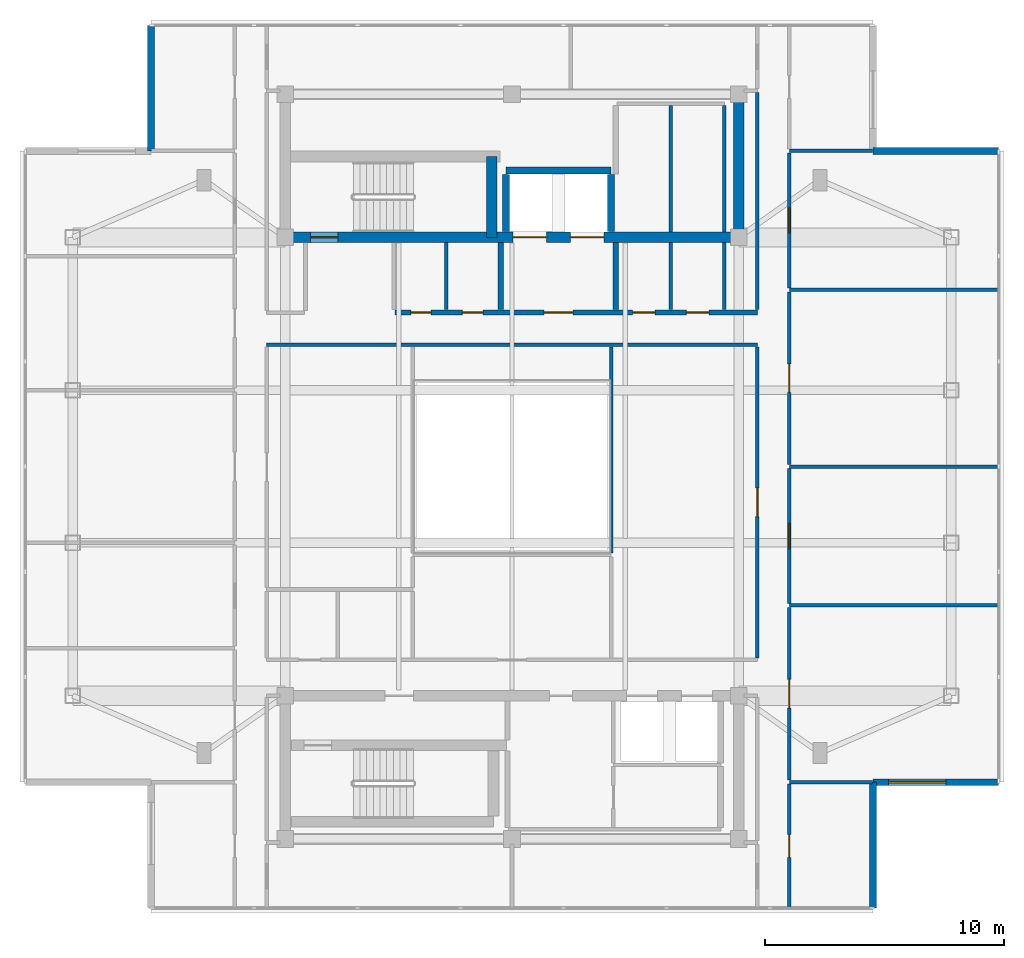
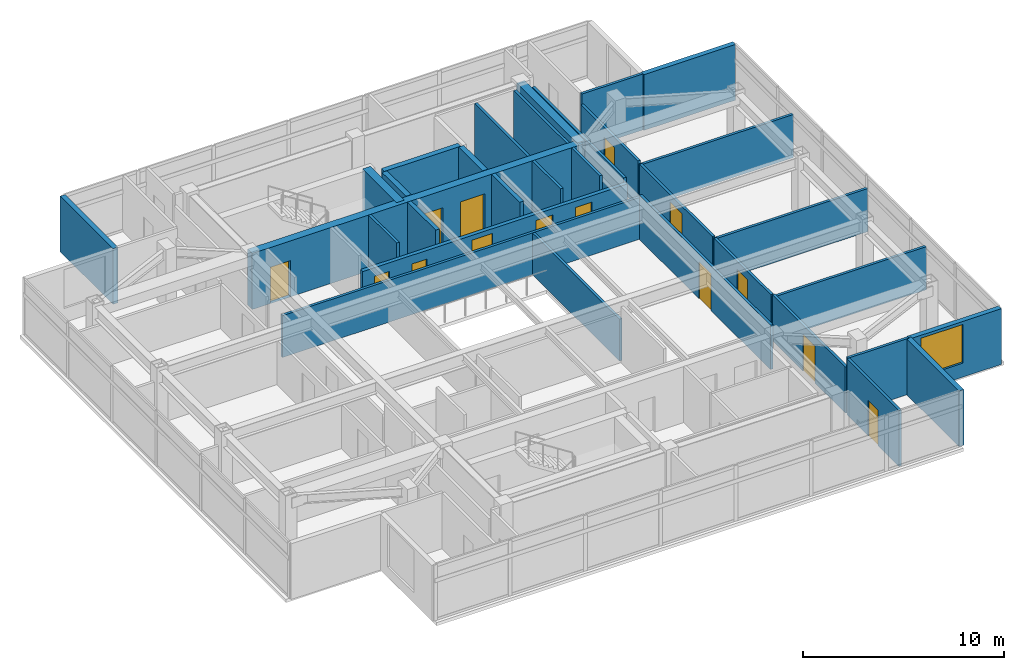
# One storey, part 7 of 12: 32 walls, 14 doors, 1 window, 15 openings.
"""IFC4 building model written with IfcOpenShell, lengths in metres."""

from ifc_helpers import new_model, si_unit, direction, frame, frame_2d, origin, place, context, subcontext, project, spatial, rectangle, extrude, material, layer, layer_set, type_object, element, fill, save


model = new_model("IFC4")

# Units and contexts
model_context = context("Model", 3, precision=1e-05, world=origin(), true_north=direction((0.0, 1.0)))
body_context = subcontext(model_context, "Body", "Model", "MODEL_VIEW")
ifc_project = project(units=[si_unit("LENGTHUNIT", "METRE"), si_unit("AREAUNIT", "SQUARE_METRE"), si_unit("VOLUMEUNIT", "CUBIC_METRE"), si_unit("PLANEANGLEUNIT", "RADIAN"), si_unit("MASSUNIT", "GRAM", prefix="KILO")], contexts=[model_context])

# Site, building, storey
site_placement = place(None, origin())
site = spatial("IfcSite", under=ifc_project, at=site_placement, CompositionType="ELEMENT")
building_placement = place(site_placement, origin())
building = spatial("IfcBuilding", under=site, at=building_placement, Name="Mirazonda Arch Towers", CompositionType="ELEMENT")
storey_placement = place(building_placement, frame((0.0, 0.0, 256.300048828125)))
storey = spatial("IfcBuildingStorey", under=building, at=storey_placement, Name="L73", CompositionType="ELEMENT", Elevation=256.300048828125)

# Wall
ifc_material_1 = material(Name="Concrete C50/60", Category="concrete")
ifc_layer_1 = layer(ifc_material_1, 0.449951171875, Name="WALL-CORE-450")
ifc_layer_set_1 = layer_set([ifc_layer_1], Name="Concrete C50/60")
wall_type_1 = type_object("IfcWallType", Name="WALL-CORE-450", PredefinedType="SHEAR", material=ifc_layer_set_1)
wall_1_placement = place(storey_placement, frame((30.0, 37.60009765625, 0.0), z_axis=(0.0, 0.0, 1.0), x_axis=(0.0, 1.0, 0.0)))
element("IfcWall", 1, at=wall_1_placement, inside=storey, type_object=wall_type_1, Name="L73 T1N-E Core Shear Wall", PredefinedType="SHEAR", context=body_context, shape_type="SweptSolid", body=[
    extrude(rectangle(XDim=6.0, YDim=0.449951171875, at=frame_2d((3.0, 0.0))), origin(), (0.0, 0.0, 1.0), 3.39990234375),
])

# Wall, openings, doors
wall_2_placement = place(storey_placement, frame((11.0, 37.60009765625, 0.0), z_axis=(0.0, 0.0, 1.0), x_axis=(1.0, 0.0, 0.0)))
wall_2 = element("IfcWall", 2, at=wall_2_placement, inside=storey, type_object=wall_type_1, Name="L73 T1N-S Core Shear Wall", PredefinedType="SHEAR", context=body_context, shape_type="SweptSolid", body=[
    extrude(rectangle(XDim=19.0, YDim=0.449951171875, at=frame_2d((9.5, 0.0))), origin(), (0.0, 0.0, 1.0), 3.39990234375),
])
opening_1_placement = place(wall_2_placement, frame((1.06005859375, 0.0, 0.0)))
opening_1 = element("IfcOpeningElement", 3, at=opening_1_placement, cuts=wall_2, Name="Opening DR-135", PredefinedType="OPENING", context=body_context, shape_type="SweptSolid", body=[
    extrude(rectangle(XDim=1.14990234375, YDim=2.199951171875, at=frame_2d((0.574951171875, 1.10009765625))), frame((0.0, 0.23486328125, 0.0), z_axis=(0.0, -1.0, 0.0), x_axis=(1.0, 0.0, 0.0)), (0.0, 0.0, 1.0), 0.469970703125),
])
opening_2_placement = place(wall_2_placement, frame((9.550048828125, 0.0, 0.0)))
opening_2 = element("IfcOpeningElement", 4, at=opening_2_placement, cuts=wall_2, Name="Opening LD-112", PredefinedType="OPENING", context=body_context, shape_type="SweptSolid", body=[
    extrude(rectangle(XDim=1.39990234375, YDim=2.35009765625, at=frame_2d((0.699951171875, 1.175048828125))), frame((0.0, 0.23486328125, 0.0), z_axis=(0.0, -1.0, 0.0), x_axis=(1.0, 0.0, 0.0)), (0.0, 0.0, 1.0), 0.469970703125),
])
opening_3_placement = place(wall_2_placement, frame((11.949951171875, 0.0, 0.0)))
opening_3 = element("IfcOpeningElement", 5, at=opening_3_placement, cuts=wall_2, Name="Opening LD-112", PredefinedType="OPENING", context=body_context, shape_type="SweptSolid", body=[
    extrude(rectangle(XDim=1.39990234375, YDim=2.35009765625, at=frame_2d((0.699951171875, 1.175048828125))), frame((0.0, 0.23486328125, 0.0), z_axis=(0.0, -1.0, 0.0), x_axis=(1.0, 0.0, 0.0)), (0.0, 0.0, 1.0), 0.469970703125),
])
ifc_material_2 = material(Name="Architectural Brushed Steel S355", Category="steel")
door_type_1 = type_object("IfcDoorType", Name="DOOR-LIFT-FFL-1400", OperationType="NOTDEFINED", PredefinedType="DOOR", material=ifc_material_2)
door_1_placement = place(opening_2_placement, origin())
door_1 = element("IfcDoor", 6, at=door_1_placement, inside=storey, type_object=door_type_1, Name="L73 Lift Landing Sliding Door FFL-T1", OperationType="DOUBLE_DOOR_SLIDING", OverallHeight=2.35009765625, OverallWidth=1.39990234375, PredefinedType="DOOR", context=body_context, shape_type="SweptSolid", body=[
    extrude(rectangle(XDim=1.39990234375, YDim=2.35009765625, at=frame_2d((0.699951171875, 1.175048828125))), frame((0.0, 0.02490234375, 0.0), z_axis=(0.0, -1.0, 0.0), x_axis=(1.0, 0.0, 0.0)), (0.0, 0.0, 1.0), 0.050048828125),
])
fill(opening_2, door_1)
door_2_placement = place(opening_3_placement, origin())
door_2 = element("IfcDoor", 7, at=door_2_placement, inside=storey, type_object=door_type_1, Name="L73 Lift Landing Sliding Door SVL-T1", OperationType="DOUBLE_DOOR_SLIDING", OverallHeight=2.35009765625, OverallWidth=1.39990234375, PredefinedType="DOOR", context=body_context, shape_type="SweptSolid", body=[
    extrude(rectangle(XDim=1.39990234375, YDim=2.35009765625, at=frame_2d((0.699951171875, 1.175048828125))), frame((0.0, 0.02490234375, 0.0), z_axis=(0.0, -1.0, 0.0), x_axis=(1.0, 0.0, 0.0)), (0.0, 0.0, 1.0), 0.050048828125),
])
fill(opening_3, door_2)
door_type_2 = type_object("IfcDoorType", Name="DOOR-STAIR-FD90-1150", OperationType="NOTDEFINED", PredefinedType="DOOR", material=ifc_material_2)
door_3_placement = place(opening_1_placement, origin())
door_3 = element("IfcDoor", 8, at=door_3_placement, inside=storey, type_object=door_type_2, Name="L73 Protected Exit Stair North Door", OperationType="SINGLE_SWING_LEFT", OverallHeight=2.199951171875, OverallWidth=1.14990234375, PredefinedType="DOOR", context=body_context, shape_type="SweptSolid", body=[
    extrude(rectangle(XDim=1.14990234375, YDim=2.199951171875, at=frame_2d((0.574951171875, 1.10009765625))), frame((0.0, 0.02490234375, 0.0), z_axis=(0.0, -1.0, 0.0), x_axis=(1.0, 0.0, 0.0)), (0.0, 0.0, 1.0), 0.050048828125),
])
fill(opening_1, door_3)

# Wall
wall_3_placement = place(storey_placement, frame((19.64990234375, 37.60009765625, 0.0), z_axis=(0.0, 0.0, 1.0), x_axis=(0.0, 1.0, 0.0)))
element("IfcWall", 9, at=wall_3_placement, inside=storey, type_object=wall_type_1, Name="L73 T1N-STE Core Shear Wall", PredefinedType="SHEAR", context=body_context, shape_type="SweptSolid", body=[
    extrude(rectangle(XDim=3.392822265625, YDim=0.449951171875, at=frame_2d((1.6962890625, 0.0))), origin(), (0.0, 0.0, 1.0), 3.39990234375),
])

# Wall, opening, window
ifc_material_3 = material(Name="Precast Concrete C40/50", Category="concrete")
ifc_layer_2 = layer(ifc_material_3, 0.280029296875, Name="WALL-EXT-WALL-280")
ifc_layer_set_2 = layer_set([ifc_layer_2], Name="Precast Concrete C40/50")
wall_type_2 = type_object("IfcWallType", Name="WALL-EXT-WALL-280", PredefinedType="SOLIDWALL", material=ifc_layer_set_2)
wall_4_placement = place(storey_placement, frame((35.625, 14.779052734375, 0.0), z_axis=(0.0, 0.0, 1.0), x_axis=(1.0, 0.0, 0.0)))
wall_4 = element("IfcWall", 10, at=wall_4_placement, inside=storey, type_object=wall_type_2, Name="L73 T1 Corner Notch Return Wall WL-L73-T1-CSE1", PredefinedType="SOLIDWALL", context=body_context, shape_type="SweptSolid", body=[
    extrude(rectangle(XDim=5.264892578125, YDim=0.280029296875, at=frame_2d((2.63232421875, 0.0))), origin(), (0.0, 0.0, 1.0), 3.3798828125),
])
opening_4_placement = place(wall_4_placement, frame((0.64990234375, 0.0, 0.85009765625)))
opening_4 = element("IfcOpeningElement", 11, at=opening_4_placement, cuts=wall_4, Name="Opening WN-121", PredefinedType="OPENING", context=body_context, shape_type="SweptSolid", body=[
    extrude(rectangle(XDim=2.39990234375, YDim=2.35009765625, at=frame_2d((1.199951171875, 1.175048828125))), frame((0.0, 0.14990234375, 0.0), z_axis=(0.0, -1.0, 0.0), x_axis=(1.0, 0.0, 0.0)), (0.0, 0.0, 1.0), 0.300048828125),
])
ifc_material_4 = material(Name="Insulated Low-E Solar Glass", Category="glass")
window_type = type_object("IfcWindowType", Name="WIN-PENT-2400x2350", PartitioningType="SINGLE_PANEL", PredefinedType="WINDOW", material=ifc_material_4)
window_placement = place(opening_4_placement, origin())
window = element("IfcWindow", 12, at=window_placement, inside=storey, type_object=window_type, Name="L73 Punched Facade Window WN-L73-T1-CSE1", OverallHeight=2.35009765625, OverallWidth=2.39990234375, PartitioningType="SINGLE_PANEL", PredefinedType="WINDOW", context=body_context, shape_type="SweptSolid", body=[
    extrude(rectangle(XDim=2.39990234375, YDim=2.35009765625, at=frame_2d((1.199951171875, 1.175048828125))), frame((0.0, 0.030029296875, 0.0), z_axis=(0.0, -1.0, 0.0), x_axis=(1.0, 0.0, 0.0)), (0.0, 0.0, 1.0), 0.06005859375),
])
fill(opening_4, window)

# Walls
for number, where, z_axis, x_axis, name in (
    (13, (35.625, 9.513916015625, 0.0), (0.0, 0.0, 1.0), (0.0, 1.0, 0.0), "L73 T1 Corner Notch Return Wall WL-L73-T1-CSE2"),
    (14, (5.375, 46.486083984375, 0.0), (0.0, 0.0, 1.0), (0.0, -1.0, 0.0), "L73 T1 Corner Notch Return Wall WL-L73-T1-CNW2"),
):
    element("IfcWall", number, at=place(storey_placement, frame(where, z_axis=z_axis, x_axis=x_axis)), inside=storey, type_object=wall_type_2, Name=name, PredefinedType="SOLIDWALL", context=body_context, shape_type="SweptSolid", body=[
        extrude(rectangle(XDim=5.26513671875, YDim=0.280029296875, at=frame_2d((2.632568359375, 0.0))), origin(), (0.0, 0.0, 1.0), 3.3798828125),
    ])
wall_5_placement = place(storey_placement, frame((40.889892578125, 41.220947265625, 0.0), z_axis=(0.0, 0.0, 1.0), x_axis=(-1.0, 0.0, 0.0)))
element("IfcWall", 15, at=wall_5_placement, inside=storey, type_object=wall_type_2, Name="L73 T1 Corner Notch Return Wall WL-L73-T1-CNE2", PredefinedType="SOLIDWALL", context=body_context, shape_type="SweptSolid", body=[
    extrude(rectangle(XDim=5.264892578125, YDim=0.280029296875, at=frame_2d((2.63232421875, 0.0))), origin(), (0.0, 0.0, 1.0), 3.3798828125),
])

# Wall, openings, doors
ifc_material_5 = material(Name="Concrete C40/50", Category="concrete")
ifc_layer_3 = layer(ifc_material_5, 0.219970703125, Name="WALL-FFL-220")
ifc_layer_set_3 = layer_set([ifc_layer_3], Name="Concrete C40/50")
wall_type_3 = type_object("IfcWallType", Name="WALL-FFL-220", PredefinedType="SOLIDWALL", material=ifc_layer_set_3)
wall_6_placement = place(storey_placement, frame((15.590087890625, 34.449951171875, 0.0), z_axis=(0.0, 0.0, 1.0), x_axis=(1.0, 0.0, 0.0)))
wall_6 = element("IfcWall", 16, at=wall_6_placement, inside=storey, type_object=wall_type_3, Name="L73 Interior Partition 021", PredefinedType="SOLIDWALL", context=body_context, shape_type="SweptSolid", body=[
    extrude(rectangle(XDim=15.18994140625, YDim=0.219970703125, at=frame_2d((7.594970703125, 0.0))), origin(), (0.0, 0.0, 1.0), 2.535888671875),
])
opening_5_placement = place(wall_6_placement, frame((6.260009765625, 0.0, 0.0)))
opening_5 = element("IfcOpeningElement", 17, at=opening_5_placement, cuts=wall_6, Name="Opening DR-117", PredefinedType="OPENING", context=body_context, shape_type="SweptSolid", body=[
    extrude(rectangle(XDim=1.199951171875, YDim=2.25, at=frame_2d((0.60009765625, 1.125))), frame((0.0, 0.119873046875, 0.0), z_axis=(0.0, -1.0, 0.0), x_axis=(1.0, 0.0, 0.0)), (0.0, 0.0, 1.0), 0.239990234375),
])
opening_6_placement = place(wall_6_placement, frame((9.9599609375, 0.0, 0.0)))
opening_6 = element("IfcOpeningElement", 18, at=opening_6_placement, cuts=wall_6, Name="Opening DR-104", PredefinedType="OPENING", context=body_context, shape_type="SweptSolid", body=[
    extrude(rectangle(XDim=0.949951171875, YDim=2.14990234375, at=frame_2d((0.47509765625, 1.074951171875))), frame((0.0, 0.119873046875, 0.0), z_axis=(0.0, -1.0, 0.0), x_axis=(1.0, 0.0, 0.0)), (0.0, 0.0, 1.0), 0.239990234375),
])
opening_7_placement = place(wall_6_placement, frame((12.2099609375, 0.0, 0.0)))
opening_7 = element("IfcOpeningElement", 19, at=opening_7_placement, cuts=wall_6, Name="Opening DR-104", PredefinedType="OPENING", context=body_context, shape_type="SweptSolid", body=[
    extrude(rectangle(XDim=0.949951171875, YDim=2.14990234375, at=frame_2d((0.47509765625, 1.074951171875))), frame((0.0, 0.119873046875, 0.0), z_axis=(0.0, -1.0, 0.0), x_axis=(1.0, 0.0, 0.0)), (0.0, 0.0, 1.0), 0.239990234375),
])
opening_8_placement = place(wall_6_placement, frame((0.675048828125, 0.0, 0.0)))
opening_8 = element("IfcOpeningElement", 20, at=opening_8_placement, cuts=wall_6, Name="Opening DR-128", PredefinedType="OPENING", context=body_context, shape_type="SweptSolid", body=[
    extrude(rectangle(XDim=0.85009765625, YDim=2.010009765625, at=frame_2d((0.425048828125, 1.0048828125))), frame((0.0, 0.119873046875, 0.0), z_axis=(0.0, -1.0, 0.0), x_axis=(1.0, 0.0, 0.0)), (0.0, 0.0, 1.0), 0.239990234375),
])
opening_9_placement = place(wall_6_placement, frame((2.8349609375, 0.0, 0.0)))
opening_9 = element("IfcOpeningElement", 21, at=opening_9_placement, cuts=wall_6, Name="Opening DR-128", PredefinedType="OPENING", context=body_context, shape_type="SweptSolid", body=[
    extrude(rectangle(XDim=0.85009765625, YDim=2.010009765625, at=frame_2d((0.425048828125, 1.0048828125))), frame((0.0, 0.119873046875, 0.0), z_axis=(0.0, -1.0, 0.0), x_axis=(1.0, 0.0, 0.0)), (0.0, 0.0, 1.0), 0.239990234375),
])
door_type_3 = type_object("IfcDoorType", Name="DOOR-FFL-FD90-1200", OperationType="NOTDEFINED", PredefinedType="DOOR", material=ifc_material_2)
door_4_placement = place(opening_5_placement, origin())
door_4 = element("IfcDoor", 22, at=door_4_placement, inside=storey, type_object=door_type_3, Name="L73 Firefighting Lift Lobby Door", OperationType="SINGLE_SWING_RIGHT", OverallHeight=2.25, OverallWidth=1.199951171875, PredefinedType="DOOR", context=body_context, shape_type="SweptSolid", body=[
    extrude(rectangle(XDim=1.199951171875, YDim=2.25, at=frame_2d((0.60009765625, 1.125))), frame((0.0, 0.02490234375, 0.0), z_axis=(0.0, -1.0, 0.0), x_axis=(1.0, 0.0, 0.0)), (0.0, 0.0, 1.0), 0.050048828125),
])
fill(opening_5, door_4)
door_type_4 = type_object("IfcDoorType", Name="DOOR-RISER-FD60-850", OperationType="NOTDEFINED", PredefinedType="DOOR", material=ifc_material_2)
door_5_placement = place(opening_8_placement, origin())
door_5 = element("IfcDoor", 23, at=door_5_placement, inside=storey, type_object=door_type_4, Name="L73 Electrical Room Door", OperationType="SINGLE_SWING_LEFT", OverallHeight=2.010009765625, OverallWidth=0.85009765625, PredefinedType="DOOR", context=body_context, shape_type="SweptSolid", body=[
    extrude(rectangle(XDim=0.85009765625, YDim=2.010009765625, at=frame_2d((0.425048828125, 1.0048828125))), frame((0.0, 0.02490234375, 0.0), z_axis=(0.0, -1.0, 0.0), x_axis=(1.0, 0.0, 0.0)), (0.0, 0.0, 1.0), 0.050048828125),
])
fill(opening_8, door_5)
door_6_placement = place(opening_9_placement, origin())
door_6 = element("IfcDoor", 24, at=door_6_placement, inside=storey, type_object=door_type_4, Name="L73 Cleaners & Housekeeping Store Door", OperationType="SINGLE_SWING_RIGHT", OverallHeight=2.010009765625, OverallWidth=0.85009765625, PredefinedType="DOOR", context=body_context, shape_type="SweptSolid", body=[
    extrude(rectangle(XDim=0.85009765625, YDim=2.010009765625, at=frame_2d((0.425048828125, 1.0048828125))), frame((0.0, 0.02490234375, 0.0), z_axis=(0.0, -1.0, 0.0), x_axis=(1.0, 0.0, 0.0)), (0.0, 0.0, 1.0), 0.050048828125),
])
fill(opening_9, door_6)
door_type_5 = type_object("IfcDoorType", Name="DOOR-ROOM-950", OperationType="NOTDEFINED", PredefinedType="DOOR", material=ifc_material_2)
door_7_placement = place(opening_6_placement, origin())
door_7 = element("IfcDoor", 25, at=door_7_placement, inside=storey, type_object=door_type_5, Name="L73 Sky-Lookout Panorama Gallery Door", OperationType="SINGLE_SWING_LEFT", OverallHeight=2.14990234375, OverallWidth=0.949951171875, PredefinedType="DOOR", context=body_context, shape_type="SweptSolid", body=[
    extrude(rectangle(XDim=0.949951171875, YDim=2.14990234375, at=frame_2d((0.47509765625, 1.074951171875))), frame((0.0, 0.02490234375, 0.0), z_axis=(0.0, -1.0, 0.0), x_axis=(1.0, 0.0, 0.0)), (0.0, 0.0, 1.0), 0.050048828125),
])
fill(opening_6, door_7)
door_8_placement = place(opening_7_placement, origin())
door_8 = element("IfcDoor", 26, at=door_8_placement, inside=storey, type_object=door_type_5, Name="L73 Private Quiet Study Door", OperationType="SINGLE_SWING_RIGHT", OverallHeight=2.14990234375, OverallWidth=0.949951171875, PredefinedType="DOOR", context=body_context, shape_type="SweptSolid", body=[
    extrude(rectangle(XDim=0.949951171875, YDim=2.14990234375, at=frame_2d((0.47509765625, 1.074951171875))), frame((0.0, 0.02490234375, 0.0), z_axis=(0.0, -1.0, 0.0), x_axis=(1.0, 0.0, 0.0)), (0.0, 0.0, 1.0), 0.050048828125),
])
fill(opening_7, door_8)

# Walls
for number, where, z_axis, x_axis, name in (
    (27, (20.02490234375, 34.570068359375, 0.0), (0.0, 0.0, 1.0), (0.0, 1.0, 0.0), "L73 Interior Partition 051"),
    (28, (24.85009765625, 34.570068359375, 0.0), (0.0, 0.0, 1.0), (0.0, 1.0, 0.0), "L73 Interior Partition 062"),
):
    element("IfcWall", number, at=place(storey_placement, frame(where, z_axis=z_axis, x_axis=x_axis)), inside=storey, type_object=wall_type_3, Name=name, PredefinedType="SOLIDWALL", context=body_context, shape_type="SweptSolid", body=[
        extrude(rectangle(XDim=2.809814453125, YDim=0.219970703125, at=frame_2d((1.40478515625, 0.0))), origin(), (0.0, 0.0, 1.0), 3.39990234375),
    ])
ifc_material_6 = material(Name="Fire-Rated Gypsum Stud Partition")
ifc_layer_4 = layer(ifc_material_6, 0.14990234375, Name="WALL-PART-CORR-150")
ifc_layer_set_4 = layer_set([ifc_layer_4], Name="Fire-Rated Gypsum Stud Partition")
wall_type_4 = type_object("IfcWallType", Name="WALL-PART-CORR-150", PredefinedType="PARTITIONING", material=ifc_layer_set_4)
wall_7_placement = place(storey_placement, frame((32.1201171875, 14.779052734375, 0.0), z_axis=(0.0, 0.0, 1.0), x_axis=(1.0, 0.0, 0.0)))
element("IfcWall", 29, at=wall_7_placement, inside=storey, type_object=wall_type_4, Name="L73 Interior Partition 006", PredefinedType="PARTITIONING", context=body_context, shape_type="SweptSolid", body=[
    extrude(rectangle(XDim=3.48486328125, YDim=0.14990234375, at=frame_2d((1.742431640625, 0.0))), origin(), (0.0, 0.0, 1.0), 3.39990234375),
])
for number, where, z_axis, x_axis, name in (
    (30, (32.1201171875, 22.18310546875, 0.0), (0.0, 0.0, 1.0), (1.0, 0.0, 0.0), "L73 Interior Partition 013"),
    (31, (32.1201171875, 28.0, 0.0), (0.0, 0.0, 1.0), (1.0, 0.0, 0.0), "L73 Interior Partition 017"),
):
    element("IfcWall", number, at=place(storey_placement, frame(where, z_axis=z_axis, x_axis=x_axis)), inside=storey, type_object=wall_type_4, Name=name, PredefinedType="PARTITIONING", context=body_context, shape_type="SweptSolid", body=[
        extrude(rectangle(XDim=8.769775390625, YDim=0.14990234375, at=frame_2d((4.384765625, 0.0))), origin(), (0.0, 0.0, 1.0), 2.618896484375),
    ])
wall_8_placement = place(storey_placement, frame((10.219970703125, 33.10009765625, 0.0), z_axis=(0.0, 0.0, 1.0), x_axis=(1.0, 0.0, 0.0)))
element("IfcWall", 32, at=wall_8_placement, inside=storey, type_object=wall_type_4, Name="L73 Interior Partition 019", PredefinedType="PARTITIONING", context=body_context, shape_type="SweptSolid", body=[
    extrude(rectangle(XDim=20.56005859375, YDim=0.14990234375, at=frame_2d((10.280029296875, 0.0))), origin(), (0.0, 0.0, 1.0), 2.535888671875),
])
wall_9_placement = place(storey_placement, frame((32.1201171875, 35.404052734375, 0.0), z_axis=(0.0, 0.0, 1.0), x_axis=(1.0, 0.0, 0.0)))
element("IfcWall", 33, at=wall_9_placement, inside=storey, type_object=wall_type_4, Name="L73 Interior Partition 022", PredefinedType="PARTITIONING", context=body_context, shape_type="SweptSolid", body=[
    extrude(rectangle(XDim=8.769775390625, YDim=0.14990234375, at=frame_2d((4.384765625, 0.0))), origin(), (0.0, 0.0, 1.0), 2.618896484375),
])
wall_10_placement = place(storey_placement, frame((32.1201171875, 41.220947265625, 0.0), z_axis=(0.0, 0.0, 1.0), x_axis=(1.0, 0.0, 0.0)))
element("IfcWall", 34, at=wall_10_placement, inside=storey, type_object=wall_type_4, Name="L73 Interior Partition 026", PredefinedType="PARTITIONING", context=body_context, shape_type="SweptSolid", body=[
    extrude(rectangle(XDim=3.48486328125, YDim=0.14990234375, at=frame_2d((1.742431640625, 0.0))), origin(), (0.0, 0.0, 1.0), 3.39990234375),
])
wall_11_placement = place(storey_placement, frame((17.75, 34.570068359375, 0.0), z_axis=(0.0, 0.0, 1.0), x_axis=(0.0, 1.0, 0.0)))
element("IfcWall", 35, at=wall_11_placement, inside=storey, type_object=wall_type_4, Name="L73 Interior Partition 049", PredefinedType="PARTITIONING", context=body_context, shape_type="SweptSolid", body=[
    extrude(rectangle(XDim=2.809814453125, YDim=0.14990234375, at=frame_2d((1.40478515625, 0.0))), origin(), (0.0, 0.0, 1.0), 3.39990234375),
])
wall_12_placement = place(storey_placement, frame((24.64990234375, 24.385009765625, 0.0), z_axis=(0.0, 0.0, 1.0), x_axis=(0.0, 1.0, 0.0)))
element("IfcWall", 36, at=wall_12_placement, inside=storey, type_object=wall_type_4, Name="L73 Interior Partition 060", PredefinedType="PARTITIONING", context=body_context, shape_type="SweptSolid", body=[
    extrude(rectangle(XDim=8.6298828125, YDim=0.14990234375, at=frame_2d((4.31494140625, 0.0))), origin(), (0.0, 0.0, 1.0), 2.535888671875),
])
wall_13_placement = place(storey_placement, frame((27.14990234375, 34.570068359375, 0.0), z_axis=(0.0, 0.0, 1.0), x_axis=(0.0, 1.0, 0.0)))
element("IfcWall", 37, at=wall_13_placement, inside=storey, type_object=wall_type_4, Name="L73 Interior Partition 064", PredefinedType="PARTITIONING", context=body_context, shape_type="SweptSolid", body=[
    extrude(rectangle(XDim=2.809814453125, YDim=0.14990234375, at=frame_2d((1.40478515625, 0.0))), origin(), (0.0, 0.0, 1.0), 3.39990234375),
])
wall_14_placement = place(storey_placement, frame((27.14990234375, 37.820068359375, 0.0), z_axis=(0.0, 0.0, 1.0), x_axis=(0.0, 1.0, 0.0)))
element("IfcWall", 38, at=wall_14_placement, inside=storey, type_object=wall_type_4, Name="L73 Interior Partition 065", PredefinedType="PARTITIONING", context=body_context, shape_type="SweptSolid", body=[
    extrude(rectangle(XDim=5.294921875, YDim=0.14990234375, at=frame_2d((2.6474609375, 0.0))), origin(), (0.0, 0.0, 1.0), 3.39990234375),
])
wall_15_placement = place(storey_placement, frame((29.39990234375, 34.570068359375, 0.0), z_axis=(0.0, 0.0, 1.0), x_axis=(0.0, 1.0, 0.0)))
element("IfcWall", 39, at=wall_15_placement, inside=storey, type_object=wall_type_4, Name="L73 Interior Partition 068", PredefinedType="PARTITIONING", context=body_context, shape_type="SweptSolid", body=[
    extrude(rectangle(XDim=2.809814453125, YDim=0.14990234375, at=frame_2d((1.40478515625, 0.0))), origin(), (0.0, 0.0, 1.0), 3.39990234375),
])
wall_16_placement = place(storey_placement, frame((29.39990234375, 37.820068359375, 0.0), z_axis=(0.0, 0.0, 1.0), x_axis=(0.0, 1.0, 0.0)))
element("IfcWall", 40, at=wall_16_placement, inside=storey, type_object=wall_type_4, Name="L73 Interior Partition 069", PredefinedType="PARTITIONING", context=body_context, shape_type="SweptSolid", body=[
    extrude(rectangle(XDim=5.294921875, YDim=0.14990234375, at=frame_2d((2.6474609375, 0.0))), origin(), (0.0, 0.0, 1.0), 3.39990234375),
])

# Wall, opening, door
wall_17_placement = place(storey_placement, frame((30.780029296875, 19.985107421875, 0.0), z_axis=(0.0, 0.0, 1.0), x_axis=(0.0, 1.0, 0.0)))
wall_17 = element("IfcWall", 41, at=wall_17_placement, inside=storey, type_object=wall_type_4, Name="L73 Interior Partition 072", PredefinedType="PARTITIONING", context=body_context, shape_type="SweptSolid", body=[
    extrude(rectangle(XDim=13.02978515625, YDim=0.14990234375, at=frame_2d((6.514892578125, 0.0))), origin(), (0.0, 0.0, 1.0), 2.696044921875),
])
opening_10_placement = place(wall_17_placement, frame((5.9150390625, 0.0, 0.0)))
opening_10 = element("IfcOpeningElement", 42, at=opening_10_placement, cuts=wall_17, Name="Opening DR-117", PredefinedType="OPENING", context=body_context, shape_type="SweptSolid", body=[
    extrude(rectangle(XDim=1.199951171875, YDim=2.25, at=frame_2d((0.60009765625, 1.125))), frame((0.0, 0.0849609375, 0.0), z_axis=(0.0, -1.0, 0.0), x_axis=(1.0, 0.0, 0.0)), (0.0, 0.0, 1.0), 0.169921875),
])
door_9_placement = place(opening_10_placement, origin())
door_9 = element("IfcDoor", 43, at=door_9_placement, inside=storey, type_object=door_type_3, Name="L73 L73 East Oculus Sky-Salon Door", OperationType="SINGLE_SWING_LEFT", OverallHeight=2.25, OverallWidth=1.199951171875, PredefinedType="DOOR", context=body_context, shape_type="SweptSolid", body=[
    extrude(rectangle(XDim=1.199951171875, YDim=2.25, at=frame_2d((0.60009765625, 1.125))), frame((0.0, 0.02490234375, 0.0), z_axis=(0.0, -1.0, 0.0), x_axis=(1.0, 0.0, 0.0)), (0.0, 0.0, 1.0), 0.050048828125),
])
fill(opening_10, door_9)

# Wall
wall_18_placement = place(storey_placement, frame((30.780029296875, 34.570068359375, 0.0), z_axis=(0.0, 0.0, 1.0), x_axis=(0.0, 1.0, 0.0)))
element("IfcWall", 44, at=wall_18_placement, inside=storey, type_object=wall_type_4, Name="L73 Interior Partition 073", PredefinedType="PARTITIONING", context=body_context, shape_type="SweptSolid", body=[
    extrude(rectangle(XDim=9.094970703125, YDim=0.14990234375, at=frame_2d((4.54736328125, 0.0))), origin(), (0.0, 0.0, 1.0), 2.7919921875),
])

# Wall, opening, door
wall_19_placement = place(storey_placement, frame((32.1201171875, 9.513916015625, 0.0), z_axis=(0.0, 0.0, 1.0), x_axis=(0.0, 1.0, 0.0)))
wall_19 = element("IfcWall", 45, at=wall_19_placement, inside=storey, type_object=wall_type_4, Name="L73 Interior Partition 075", PredefinedType="PARTITIONING", context=body_context, shape_type="SweptSolid", body=[
    extrude(rectangle(XDim=5.18017578125, YDim=0.14990234375, at=frame_2d((2.590087890625, 0.0))), origin(), (0.0, 0.0, 1.0), 3.39990234375),
])
opening_11_placement = place(wall_19_placement, frame((2.114990234375, 0.0, 0.0)))
opening_11 = element("IfcOpeningElement", 46, at=opening_11_placement, cuts=wall_19, Name="Opening DR-104", PredefinedType="OPENING", context=body_context, shape_type="SweptSolid", body=[
    extrude(rectangle(XDim=0.949951171875, YDim=2.14990234375, at=frame_2d((0.47509765625, 1.074951171875))), frame((0.0, 0.0849609375, 0.0), z_axis=(0.0, -1.0, 0.0), x_axis=(1.0, 0.0, 0.0)), (0.0, 0.0, 1.0), 0.169921875),
])
door_10_placement = place(opening_11_placement, origin())
door_10 = element("IfcDoor", 47, at=door_10_placement, inside=storey, type_object=door_type_5, Name="L73 South Lookout Salon Alcove East Door", OperationType="SINGLE_SWING_LEFT", OverallHeight=2.14990234375, OverallWidth=0.949951171875, PredefinedType="DOOR", context=body_context, shape_type="SweptSolid", body=[
    extrude(rectangle(XDim=0.949951171875, YDim=2.14990234375, at=frame_2d((0.47509765625, 1.074951171875))), frame((0.0, 0.02490234375, 0.0), z_axis=(0.0, -1.0, 0.0), x_axis=(1.0, 0.0, 0.0)), (0.0, 0.0, 1.0), 0.050048828125),
])
fill(opening_11, door_10)

wall_20_placement = place(storey_placement, frame((32.1201171875, 14.864013671875, 0.0), z_axis=(0.0, 0.0, 1.0), x_axis=(0.0, 1.0, 0.0)))
wall_20 = element("IfcWall", 48, at=wall_20_placement, inside=storey, type_object=wall_type_4, Name="L73 Interior Partition 076", PredefinedType="PARTITIONING", context=body_context, shape_type="SweptSolid", body=[
    extrude(rectangle(XDim=7.23388671875, YDim=0.14990234375, at=frame_2d((3.616943359375, 0.0))), origin(), (0.0, 0.0, 1.0), 2.7919921875),
])
opening_12_placement = place(wall_20_placement, frame((3.01708984375, 0.0, 0.0)))
opening_12 = element("IfcOpeningElement", 49, at=opening_12_placement, cuts=wall_20, Name="Opening DR-117", PredefinedType="OPENING", context=body_context, shape_type="SweptSolid", body=[
    extrude(rectangle(XDim=1.199951171875, YDim=2.25, at=frame_2d((0.60009765625, 1.125))), frame((0.0, 0.0849609375, 0.0), z_axis=(0.0, -1.0, 0.0), x_axis=(1.0, 0.0, 0.0)), (0.0, 0.0, 1.0), 0.169921875),
])
door_11_placement = place(opening_12_placement, origin())
door_11 = element("IfcDoor", 50, at=door_11_placement, inside=storey, type_object=door_type_3, Name="L73 Interactive City Heritage Gallery 1 Door", OperationType="SINGLE_SWING_LEFT", OverallHeight=2.25, OverallWidth=1.199951171875, PredefinedType="DOOR", context=body_context, shape_type="SweptSolid", body=[
    extrude(rectangle(XDim=1.199951171875, YDim=2.25, at=frame_2d((0.60009765625, 1.125))), frame((0.0, 0.02490234375, 0.0), z_axis=(0.0, -1.0, 0.0), x_axis=(1.0, 0.0, 0.0)), (0.0, 0.0, 1.0), 0.050048828125),
])
fill(opening_12, door_11)

wall_21_placement = place(storey_placement, frame((32.1201171875, 22.26806640625, 0.0), z_axis=(0.0, 0.0, 1.0), x_axis=(0.0, 1.0, 0.0)))
wall_21 = element("IfcWall", 51, at=wall_21_placement, inside=storey, type_object=wall_type_4, Name="L73 Interior Partition 077", PredefinedType="PARTITIONING", context=body_context, shape_type="SweptSolid", body=[
    extrude(rectangle(XDim=5.64697265625, YDim=0.14990234375, at=frame_2d((2.823486328125, 0.0))), origin(), (0.0, 0.0, 1.0), 2.696044921875),
])
opening_13_placement = place(wall_21_placement, frame((2.298583984375, 0.0, 0.0)))
opening_13 = element("IfcOpeningElement", 52, at=opening_13_placement, cuts=wall_21, Name="Opening DR-121", PredefinedType="OPENING", context=body_context, shape_type="SweptSolid", body=[
    extrude(rectangle(XDim=1.050048828125, YDim=2.199951171875, at=frame_2d((0.52490234375, 1.10009765625))), frame((0.0, 0.0849609375, 0.0), z_axis=(0.0, -1.0, 0.0), x_axis=(1.0, 0.0, 0.0)), (0.0, 0.0, 1.0), 0.169921875),
])
door_type_6 = type_object("IfcDoorType", Name="DOOR-SUITE-FD60-1050", OperationType="NOTDEFINED", PredefinedType="DOOR", material=ifc_material_2)
door_12_placement = place(opening_13_placement, origin())
door_12 = element("IfcDoor", 53, at=door_12_placement, inside=storey, type_object=door_type_6, Name="L73 Sky-Lookout Espresso & Patisserie Bar 1B Door", OperationType="SINGLE_SWING_RIGHT", OverallHeight=2.199951171875, OverallWidth=1.050048828125, PredefinedType="DOOR", context=body_context, shape_type="SweptSolid", body=[
    extrude(rectangle(XDim=1.050048828125, YDim=2.199951171875, at=frame_2d((0.52490234375, 1.10009765625))), frame((0.0, 0.02490234375, 0.0), z_axis=(0.0, -1.0, 0.0), x_axis=(1.0, 0.0, 0.0)), (0.0, 0.0, 1.0), 0.050048828125),
])
fill(opening_13, door_12)

wall_22_placement = place(storey_placement, frame((32.1201171875, 28.0849609375, 0.0), z_axis=(0.0, 0.0, 1.0), x_axis=(0.0, 1.0, 0.0)))
wall_22 = element("IfcWall", 54, at=wall_22_placement, inside=storey, type_object=wall_type_4, Name="L73 Interior Partition 078", PredefinedType="PARTITIONING", context=body_context, shape_type="SweptSolid", body=[
    extrude(rectangle(XDim=7.234130859375, YDim=0.14990234375, at=frame_2d((3.6171875, 0.0))), origin(), (0.0, 0.0, 1.0), 2.696044921875),
])
opening_14_placement = place(wall_22_placement, frame((3.01708984375, 0.0, 0.0)))
opening_14 = element("IfcOpeningElement", 55, at=opening_14_placement, cuts=wall_22, Name="Opening DR-117", PredefinedType="OPENING", context=body_context, shape_type="SweptSolid", body=[
    extrude(rectangle(XDim=1.199951171875, YDim=2.25, at=frame_2d((0.60009765625, 1.125))), frame((0.0, 0.0849609375, 0.0), z_axis=(0.0, -1.0, 0.0), x_axis=(1.0, 0.0, 0.0)), (0.0, 0.0, 1.0), 0.169921875),
])
door_13_placement = place(opening_14_placement, origin())
door_13 = element("IfcDoor", 56, at=door_13_placement, inside=storey, type_object=door_type_3, Name="L73 High-Altitude Telescope Salon 2 Door", OperationType="SINGLE_SWING_LEFT", OverallHeight=2.25, OverallWidth=1.199951171875, PredefinedType="DOOR", context=body_context, shape_type="SweptSolid", body=[
    extrude(rectangle(XDim=1.199951171875, YDim=2.25, at=frame_2d((0.60009765625, 1.125))), frame((0.0, 0.02490234375, 0.0), z_axis=(0.0, -1.0, 0.0), x_axis=(1.0, 0.0, 0.0)), (0.0, 0.0, 1.0), 0.050048828125),
])
fill(opening_14, door_13)

wall_23_placement = place(storey_placement, frame((32.1201171875, 35.489013671875, 0.0), z_axis=(0.0, 0.0, 1.0), x_axis=(0.0, 1.0, 0.0)))
wall_23 = element("IfcWall", 57, at=wall_23_placement, inside=storey, type_object=wall_type_4, Name="L73 Interior Partition 079", PredefinedType="PARTITIONING", context=body_context, shape_type="SweptSolid", body=[
    extrude(rectangle(XDim=5.64697265625, YDim=0.14990234375, at=frame_2d((2.823486328125, 0.0))), origin(), (0.0, 0.0, 1.0), 2.7919921875),
])
opening_15_placement = place(wall_23_placement, frame((2.298583984375, 0.0, 0.0)))
opening_15 = element("IfcOpeningElement", 58, at=opening_15_placement, cuts=wall_23, Name="Opening DR-121", PredefinedType="OPENING", context=body_context, shape_type="SweptSolid", body=[
    extrude(rectangle(XDim=1.050048828125, YDim=2.199951171875, at=frame_2d((0.52490234375, 1.10009765625))), frame((0.0, 0.0849609375, 0.0), z_axis=(0.0, -1.0, 0.0), x_axis=(1.0, 0.0, 0.0)), (0.0, 0.0, 1.0), 0.169921875),
])
door_14_placement = place(opening_15_placement, origin())
door_14 = element("IfcDoor", 59, at=door_14_placement, inside=storey, type_object=door_type_6, Name="L73 Sunset Horizon Viewing Terrace Salon 2B Door", OperationType="SINGLE_SWING_RIGHT", OverallHeight=2.199951171875, OverallWidth=1.050048828125, PredefinedType="DOOR", context=body_context, shape_type="SweptSolid", body=[
    extrude(rectangle(XDim=1.050048828125, YDim=2.199951171875, at=frame_2d((0.52490234375, 1.10009765625))), frame((0.0, 0.02490234375, 0.0), z_axis=(0.0, -1.0, 0.0), x_axis=(1.0, 0.0, 0.0)), (0.0, 0.0, 1.0), 0.050048828125),
])
fill(opening_15, door_14)

# Walls
ifc_layer_5 = layer(ifc_material_1, 0.300048828125, Name="WALL-SHAFT-300")
ifc_layer_set_5 = layer_set([ifc_layer_5], Name="Concrete C50/60")
wall_type_5 = type_object("IfcWallType", Name="WALL-SHAFT-300", PredefinedType="SOLIDWALL", material=ifc_layer_set_5)
wall_24_placement = place(storey_placement, frame((20.25, 40.39990234375, 0.0), z_axis=(0.0, 0.0, 1.0), x_axis=(1.0, 0.0, 0.0)))
element("IfcWall", 60, at=wall_24_placement, inside=storey, type_object=wall_type_5, Name="L73 Interior Partition 024", PredefinedType="SOLIDWALL", context=body_context, shape_type="SweptSolid", body=[
    extrude(rectangle(XDim=4.39990234375, YDim=0.300048828125, at=frame_2d((2.199951171875, 0.0))), origin(), (0.0, 0.0, 1.0), 3.39990234375),
])
for number, where, z_axis, x_axis, name in (
    (61, (20.25, 37.85009765625, 0.0), (0.0, 0.0, 1.0), (0.0, 1.0, 0.0), "L73 Interior Partition 054"),
    (62, (24.64990234375, 37.85009765625, 0.0), (0.0, 0.0, 1.0), (0.0, 1.0, 0.0), "L73 Interior Partition 061"),
):
    element("IfcWall", number, at=place(storey_placement, frame(where, z_axis=z_axis, x_axis=x_axis)), inside=storey, type_object=wall_type_5, Name=name, PredefinedType="SOLIDWALL", context=body_context, shape_type="SweptSolid", body=[
        extrude(rectangle(XDim=2.389892578125, YDim=0.300048828125, at=frame_2d((1.19482421875, 0.0))), origin(), (0.0, 0.0, 1.0), 3.39990234375),
    ])

save(model, "model.ifc")
